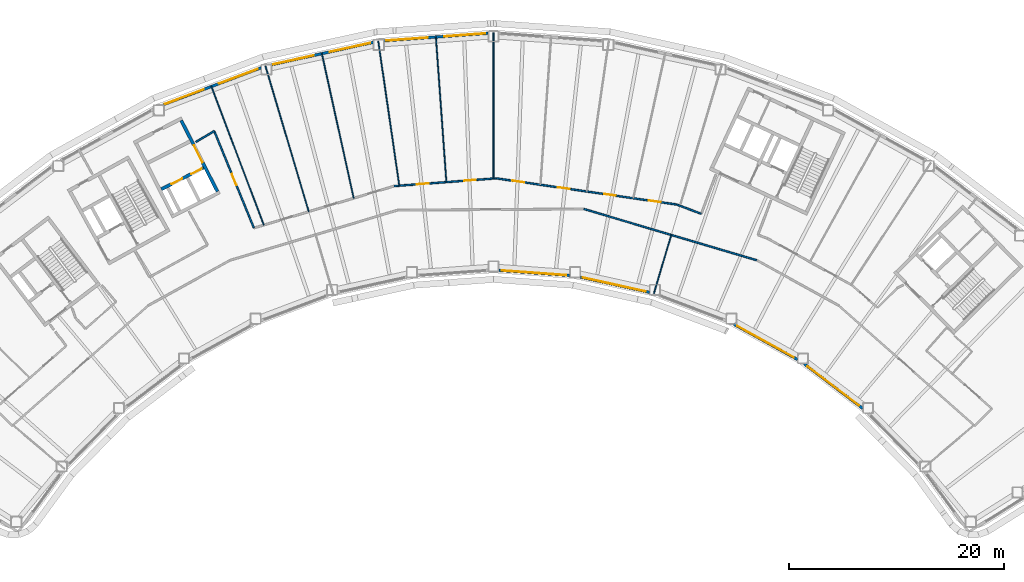
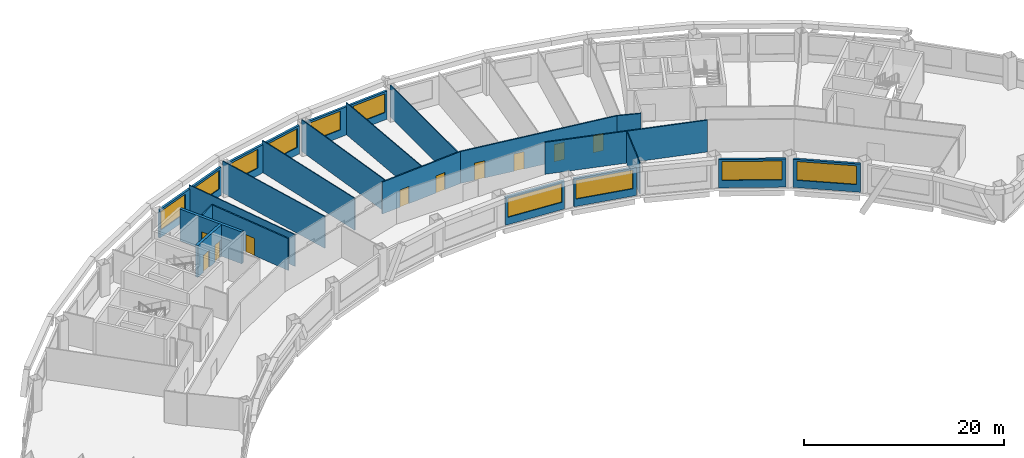
# One storey, part 5 of 11: 22 walls, 10 doors, 10 windows, 20 openings.
"""IFC4 building model written with IfcOpenShell, lengths in metres."""

from ifc_helpers import new_model, si_unit, direction, frame, frame_2d, origin, place, context, subcontext, project, spatial, rectangle, extrude, material, layer, layer_set, type_object, element, fill, save


model = new_model("IFC4")

# Units and contexts
model_context = context("Model", 3, precision=1e-05, world=origin(), true_north=direction((0.0, 1.0)))
body_context = subcontext(model_context, "Body", "Model", "MODEL_VIEW")
ifc_project = project(units=[si_unit("LENGTHUNIT", "METRE"), si_unit("AREAUNIT", "SQUARE_METRE"), si_unit("VOLUMEUNIT", "CUBIC_METRE"), si_unit("PLANEANGLEUNIT", "RADIAN"), si_unit("MASSUNIT", "GRAM", prefix="KILO")], contexts=[model_context])

# Site, building, storey
site_placement = place(None, origin())
site = spatial("IfcSite", under=ifc_project, at=site_placement, CompositionType="ELEMENT")
building_placement = place(site_placement, origin())
building = spatial("IfcBuilding", under=site, at=building_placement, Name="Tuul Gate Civic Tower", CompositionType="ELEMENT")
storey_placement = place(building_placement, frame((0.0, 0.0, 142.39990234375)))
storey = spatial("IfcBuildingStorey", under=building, at=storey_placement, Name="Level 32", CompositionType="ELEMENT", Elevation=142.39990234375)

# Wall
ifc_material_1 = material(Name="Gypsum board partition")
ifc_layer_1 = layer(ifc_material_1, 0.14990234375)
ifc_layer_set_1 = layer_set([ifc_layer_1], Name="Gypsum board partition")
wall_type_1 = type_object("IfcWallType", Name="Corridor wall P150", PredefinedType="PARTITIONING", material=ifc_layer_set_1)
wall_1_placement = place(storey_placement, frame((22.355712890625, -6.37548828125, 0.0), z_axis=(0.0, 0.0, 1.0), x_axis=(0.937357396993, -0.348369215492, 0.0)))
element("IfcWall", 1, at=wall_1_placement, inside=storey, type_object=wall_type_1, Name="p016", PredefinedType="PARTITIONING", context=body_context, shape_type="SweptSolid", body=[
    extrude(rectangle(XDim=2.44921875, YDim=0.14990234375, at=frame_2d((1.224609375, 0.0))), origin(), (0.0, 0.0, 1.0), 3.900146484375),
])

# Wall, openings, doors
wall_2_placement = place(storey_placement, frame((5.633056640625, -3.94677734375, 0.0), z_axis=(0.0, 0.0, 1.0), x_axis=(0.989618822019, -0.143717038326, 0.0)))
wall_2 = element("IfcWall", 2, at=wall_2_placement, inside=storey, type_object=wall_type_1, Name="p021", PredefinedType="PARTITIONING", context=body_context, shape_type="SweptSolid", body=[
    extrude(rectangle(XDim=16.895751953125, YDim=0.14990234375, at=frame_2d((8.44775390625, 0.0))), origin(), (0.0, 0.0, 1.0), 3.900146484375),
])
opening_1_placement = place(wall_2_placement, frame((14.32275390625, 0.0, 0.0)))
opening_1 = element("IfcOpeningElement", 3, at=opening_1_placement, cuts=wall_2, Name="Opening K-D06", PredefinedType="OPENING", context=body_context, shape_type="SweptSolid", body=[
    extrude(rectangle(XDim=1.10009765625, YDim=2.10009765625, at=frame_2d((0.550048828125, 1.050048828125))), frame((0.0, 0.0849609375, 0.0), z_axis=(0.0, -1.0, 0.0), x_axis=(1.0, 0.0, 0.0)), (0.0, 0.0, 1.0), 0.169921875),
])
opening_2_placement = place(wall_2_placement, frame((10.12158203125, 0.0, 0.0)))
opening_2 = element("IfcOpeningElement", 4, at=opening_2_placement, cuts=wall_2, Name="Opening K-D07", PredefinedType="OPENING", context=body_context, shape_type="SweptSolid", body=[
    extrude(rectangle(XDim=1.10009765625, YDim=2.10009765625, at=frame_2d((0.550048828125, 1.050048828125))), frame((0.0, 0.0849609375, 0.0), z_axis=(0.0, -1.0, 0.0), x_axis=(1.0, 0.0, 0.0)), (0.0, 0.0, 1.0), 0.169921875),
])
opening_3_placement = place(wall_2_placement, frame((5.7666015625, 0.0, 0.0)))
opening_3 = element("IfcOpeningElement", 5, at=opening_3_placement, cuts=wall_2, Name="Opening K-D08", PredefinedType="OPENING", context=body_context, shape_type="SweptSolid", body=[
    extrude(rectangle(XDim=1.10009765625, YDim=2.10009765625, at=frame_2d((0.550048828125, 1.050048828125))), frame((0.0, 0.0849609375, 0.0), z_axis=(0.0, -1.0, 0.0), x_axis=(1.0, 0.0, 0.0)), (0.0, 0.0, 1.0), 0.169921875),
])
opening_4_placement = place(wall_2_placement, frame((1.51953125, 0.0, 0.0)))
opening_4 = element("IfcOpeningElement", 6, at=opening_4_placement, cuts=wall_2, Name="Opening K-D09", PredefinedType="OPENING", context=body_context, shape_type="SweptSolid", body=[
    extrude(rectangle(XDim=1.10009765625, YDim=2.10009765625, at=frame_2d((0.550048828125, 1.050048828125))), frame((0.0, 0.0849609375, 0.0), z_axis=(0.0, -1.0, 0.0), x_axis=(1.0, 0.0, 0.0)), (0.0, 0.0, 1.0), 0.169921875),
])
ifc_material_2 = material(Name="Timber door leaf", Category="wood")
door_type_1 = type_object("IfcDoorType", Name="Door D11", OperationType="NOTDEFINED", PredefinedType="DOOR", material=ifc_material_2)
door_1_placement = place(opening_1_placement, origin())
door_1 = element("IfcDoor", 7, at=door_1_placement, inside=storey, type_object=door_type_1, Name="Door K-D06", OperationType="SINGLE_SWING_LEFT", OverallHeight=2.10009765625, OverallWidth=1.10009765625, PredefinedType="DOOR", context=body_context, shape_type="SweptSolid", body=[
    extrude(rectangle(XDim=1.10009765625, YDim=2.10009765625, at=frame_2d((0.550048828125, 1.050048828125))), frame((0.0, 0.02490234375, 0.0), z_axis=(0.0, -1.0, 0.0), x_axis=(1.0, 0.0, 0.0)), (0.0, 0.0, 1.0), 0.050048828125),
])
fill(opening_1, door_1)
door_2_placement = place(opening_2_placement, origin())
door_2 = element("IfcDoor", 8, at=door_2_placement, inside=storey, type_object=door_type_1, Name="Door K-D07", OperationType="SINGLE_SWING_RIGHT", OverallHeight=2.10009765625, OverallWidth=1.10009765625, PredefinedType="DOOR", context=body_context, shape_type="SweptSolid", body=[
    extrude(rectangle(XDim=1.10009765625, YDim=2.10009765625, at=frame_2d((0.550048828125, 1.050048828125))), frame((0.0, 0.02490234375, 0.0), z_axis=(0.0, -1.0, 0.0), x_axis=(1.0, 0.0, 0.0)), (0.0, 0.0, 1.0), 0.050048828125),
])
fill(opening_2, door_2)
door_3_placement = place(opening_3_placement, origin())
door_3 = element("IfcDoor", 9, at=door_3_placement, inside=storey, type_object=door_type_1, Name="Door K-D08", OperationType="SINGLE_SWING_RIGHT", OverallHeight=2.10009765625, OverallWidth=1.10009765625, PredefinedType="DOOR", context=body_context, shape_type="SweptSolid", body=[
    extrude(rectangle(XDim=1.10009765625, YDim=2.10009765625, at=frame_2d((0.550048828125, 1.050048828125))), frame((0.0, 0.02490234375, 0.0), z_axis=(0.0, -1.0, 0.0), x_axis=(1.0, 0.0, 0.0)), (0.0, 0.0, 1.0), 0.050048828125),
])
fill(opening_3, door_3)
door_4_placement = place(opening_4_placement, origin())
door_4 = element("IfcDoor", 10, at=door_4_placement, inside=storey, type_object=door_type_1, Name="Door K-D09", OperationType="SINGLE_SWING_RIGHT", OverallHeight=2.10009765625, OverallWidth=1.10009765625, PredefinedType="DOOR", context=body_context, shape_type="SweptSolid", body=[
    extrude(rectangle(XDim=1.10009765625, YDim=2.10009765625, at=frame_2d((0.550048828125, 1.050048828125))), frame((0.0, 0.02490234375, 0.0), z_axis=(0.0, -1.0, 0.0), x_axis=(1.0, 0.0, 0.0)), (0.0, 0.0, 1.0), 0.050048828125),
])
fill(opening_4, door_4)

wall_3_placement = place(storey_placement, frame((-3.847900390625, -4.6650390625, 0.0), z_axis=(0.0, 0.0, 1.0), x_axis=(0.997139374846, 0.075584834003, 0.0)))
wall_3 = element("IfcWall", 11, at=wall_3_placement, inside=storey, type_object=wall_type_1, Name="p025", PredefinedType="PARTITIONING", context=body_context, shape_type="SweptSolid", body=[
    extrude(rectangle(XDim=9.505859375, YDim=0.14990234375, at=frame_2d((4.7529296875, 0.0))), origin(), (0.0, 0.0, 1.0), 3.900146484375),
])
opening_5_placement = place(wall_3_placement, frame((6.505615234375, 0.0, 0.0)))
opening_5 = element("IfcOpeningElement", 12, at=opening_5_placement, cuts=wall_3, Name="Opening K-D10", PredefinedType="OPENING", context=body_context, shape_type="SweptSolid", body=[
    extrude(rectangle(XDim=1.10009765625, YDim=2.10009765625, at=frame_2d((0.550048828125, 1.050048828125))), frame((0.0, 0.0849609375, 0.0), z_axis=(0.0, -1.0, 0.0), x_axis=(1.0, 0.0, 0.0)), (0.0, 0.0, 1.0), 0.169921875),
])
opening_6_placement = place(wall_3_placement, frame((2.12158203125, 0.0, 0.0)))
opening_6 = element("IfcOpeningElement", 13, at=opening_6_placement, cuts=wall_3, Name="Opening K-D11", PredefinedType="OPENING", context=body_context, shape_type="SweptSolid", body=[
    extrude(rectangle(XDim=1.10009765625, YDim=2.10009765625, at=frame_2d((0.550048828125, 1.050048828125))), frame((0.0, 0.0849609375, 0.0), z_axis=(0.0, -1.0, 0.0), x_axis=(1.0, 0.0, 0.0)), (0.0, 0.0, 1.0), 0.169921875),
])
door_5_placement = place(opening_5_placement, origin())
door_5 = element("IfcDoor", 14, at=door_5_placement, inside=storey, type_object=door_type_1, Name="Door K-D10", OperationType="SINGLE_SWING_RIGHT", OverallHeight=2.10009765625, OverallWidth=1.10009765625, PredefinedType="DOOR", context=body_context, shape_type="SweptSolid", body=[
    extrude(rectangle(XDim=1.10009765625, YDim=2.10009765625, at=frame_2d((0.550048828125, 1.050048828125))), frame((0.0, 0.02490234375, 0.0), z_axis=(0.0, -1.0, 0.0), x_axis=(1.0, 0.0, 0.0)), (0.0, 0.0, 1.0), 0.050048828125),
])
fill(opening_5, door_5)
door_6_placement = place(opening_6_placement, origin())
door_6 = element("IfcDoor", 15, at=door_6_placement, inside=storey, type_object=door_type_1, Name="Door K-D11", OperationType="SINGLE_SWING_RIGHT", OverallHeight=2.10009765625, OverallWidth=1.10009765625, PredefinedType="DOOR", context=body_context, shape_type="SweptSolid", body=[
    extrude(rectangle(XDim=1.10009765625, YDim=2.10009765625, at=frame_2d((0.550048828125, 1.050048828125))), frame((0.0, 0.02490234375, 0.0), z_axis=(0.0, -1.0, 0.0), x_axis=(1.0, 0.0, 0.0)), (0.0, 0.0, 1.0), 0.050048828125),
])
fill(opening_6, door_6)

# Wall, opening, door
wall_4_placement = place(storey_placement, frame((-20.55126953125, 0.440673828125, 0.0), z_axis=(0.0, 0.0, 1.0), x_axis=(0.379597199819, -0.925151860988, 0.0)))
wall_4 = element("IfcWall", 16, at=wall_4_placement, inside=storey, type_object=wall_type_1, Name="p033", PredefinedType="PARTITIONING", context=body_context, shape_type="SweptSolid", body=[
    extrude(rectangle(XDim=9.707763671875, YDim=0.14990234375, at=frame_2d((4.85400390625, 0.0))), origin(), (0.0, 0.0, 1.0), 3.900146484375),
])
opening_7_placement = place(wall_4_placement, frame((4.3037109375, 0.0, 0.0)))
opening_7 = element("IfcOpeningElement", 17, at=opening_7_placement, cuts=wall_4, Name="Opening K-D15", PredefinedType="OPENING", context=body_context, shape_type="SweptSolid", body=[
    extrude(rectangle(XDim=1.10009765625, YDim=2.10009765625, at=frame_2d((0.550048828125, 1.050048828125))), frame((0.0, 0.0849609375, 0.0), z_axis=(0.0, -1.0, 0.0), x_axis=(1.0, 0.0, 0.0)), (0.0, 0.0, 1.0), 0.169921875),
])
door_7_placement = place(opening_7_placement, frame((1.10009765625, 0.0, 0.0), z_axis=(0.0, 0.0, 1.0), x_axis=(-1.0, 0.0, 0.0)))
door_7 = element("IfcDoor", 18, at=door_7_placement, inside=storey, type_object=door_type_1, Name="Door K-D15", OperationType="SINGLE_SWING_LEFT", OverallHeight=2.10009765625, OverallWidth=1.10009765625, PredefinedType="DOOR", context=body_context, shape_type="SweptSolid", body=[
    extrude(rectangle(XDim=1.10009765625, YDim=2.10009765625, at=frame_2d((0.550048828125, 1.050048828125))), frame((0.0, 0.02490234375, 0.0), z_axis=(0.0, -1.0, 0.0), x_axis=(1.0, 0.0, 0.0)), (0.0, 0.0, 1.0), 0.050048828125),
])
fill(opening_7, door_7)

# Walls
wall_5_placement = place(storey_placement, frame((-22.25390625, -0.57275390625, 0.0), z_axis=(0.0, 0.0, 1.0), x_axis=(0.859087704758, 0.511828404384, 0.0)))
element("IfcWall", 19, at=wall_5_placement, inside=storey, type_object=wall_type_1, Name="p034", PredefinedType="PARTITIONING", context=body_context, shape_type="SweptSolid", body=[
    extrude(rectangle(XDim=1.98046875, YDim=0.14990234375, at=frame_2d((0.990234375, 0.0))), origin(), (0.0, 0.0, 1.0), 3.900146484375),
])
wall_6_placement = place(storey_placement, frame((13.759521484375, -6.791015625, 0.0), z_axis=(0.0, 0.0, 1.0), x_axis=(0.95876109681, -0.28421322848, 0.0)))
element("IfcWall", 20, at=wall_6_placement, inside=storey, type_object=wall_type_1, Name="p048", PredefinedType="PARTITIONING", context=body_context, shape_type="SweptSolid", body=[
    extrude(rectangle(XDim=16.771240234375, YDim=0.14990234375, at=frame_2d((8.3857421875, 0.0))), origin(), (0.0, 0.0, 1.0), 3.900146484375),
])

# Wall, openings, windows
ifc_material_3 = material(Name="Precast concrete C40/50", Category="concrete")
ifc_layer_2 = layer(ifc_material_3, 0.25)
ifc_layer_set_2 = layer_set([ifc_layer_2], Name="Precast concrete C40/50")
wall_type_2 = type_object("IfcWallType", Name="External wall", PredefinedType="STANDARD", material=ifc_layer_set_2)
wall_7_placement = place(storey_placement, frame((4.8740234375, 9.521484375, 0.0), z_axis=(0.0, 0.0, 1.0), x_axis=(-0.997386456692, -0.07225133914, 0.0)))
wall_7 = element("IfcWall", 21, at=wall_7_placement, inside=storey, type_object=wall_type_2, Name="External wall", PredefinedType="STANDARD", context=body_context, shape_type="SweptSolid", body=[
    extrude(rectangle(XDim=9.67431640625, YDim=0.25, at=frame_2d((4.837158203125, 0.0))), origin(), (0.0, 0.0, 1.0), 3.4501953125),
])
opening_8_placement = place(wall_7_placement, frame((0.250244140625, 0.0, 0.89990234375)))
opening_8 = element("IfcOpeningElement", 22, at=opening_8_placement, cuts=wall_7, Name="Opening W22", PredefinedType="OPENING", context=body_context, shape_type="SweptSolid", body=[
    extrude(rectangle(XDim=3.85009765625, YDim=2.300048828125, at=frame_2d((1.925048828125, 1.14990234375))), frame((0.0, 0.135009765625, 0.0), z_axis=(0.0, -1.0, 0.0), x_axis=(1.0, 0.0, 0.0)), (0.0, 0.0, 1.0), 0.27001953125),
])
opening_9_placement = place(wall_7_placement, frame((5.62109375, 0.0, 0.89990234375)))
opening_9 = element("IfcOpeningElement", 23, at=opening_9_placement, cuts=wall_7, Name="Opening W22", PredefinedType="OPENING", context=body_context, shape_type="SweptSolid", body=[
    extrude(rectangle(XDim=3.85009765625, YDim=2.300048828125, at=frame_2d((1.925048828125, 1.14990234375))), frame((0.0, 0.135009765625, 0.0), z_axis=(0.0, -1.0, 0.0), x_axis=(1.0, 0.0, 0.0)), (0.0, 0.0, 1.0), 0.27001953125),
])
ifc_material_4 = material(Name="Glass", Category="glass")
window_type_1 = type_object("IfcWindowType", Name="Window W22 3850 x 2300", PartitioningType="SINGLE_PANEL", PredefinedType="WINDOW", material=ifc_material_4)
window_1_placement = place(opening_8_placement, origin())
window_1 = element("IfcWindow", 24, at=window_1_placement, inside=storey, type_object=window_type_1, Name="Window", OverallHeight=2.300048828125, OverallWidth=3.85009765625, PartitioningType="SINGLE_PANEL", PredefinedType="WINDOW", context=body_context, shape_type="SweptSolid", body=[
    extrude(rectangle(XDim=3.85009765625, YDim=2.300048828125, at=frame_2d((1.925048828125, 1.14990234375))), frame((0.0, 0.030029296875, 0.0), z_axis=(0.0, -1.0, 0.0), x_axis=(1.0, 0.0, 0.0)), (0.0, 0.0, 1.0), 0.06005859375),
])
fill(opening_8, window_1)
window_2_placement = place(opening_9_placement, origin())
window_2 = element("IfcWindow", 25, at=window_2_placement, inside=storey, type_object=window_type_1, Name="Window", OverallHeight=2.300048828125, OverallWidth=3.85009765625, PartitioningType="SINGLE_PANEL", PredefinedType="WINDOW", context=body_context, shape_type="SweptSolid", body=[
    extrude(rectangle(XDim=3.85009765625, YDim=2.300048828125, at=frame_2d((1.925048828125, 1.14990234375))), frame((0.0, 0.030029296875, 0.0), z_axis=(0.0, -1.0, 0.0), x_axis=(1.0, 0.0, 0.0)), (0.0, 0.0, 1.0), 0.06005859375),
])
fill(opening_9, window_2)

wall_8_placement = place(storey_placement, frame((-5.77490234375, 8.68310546875, 0.0), z_axis=(0.0, 0.0, 1.0), x_axis=(-0.976568733391, -0.215205736364, 0.0)))
wall_8 = element("IfcWall", 26, at=wall_8_placement, inside=storey, type_object=wall_type_2, Name="External wall", PredefinedType="STANDARD", context=body_context, shape_type="SweptSolid", body=[
    extrude(rectangle(XDim=9.654296875, YDim=0.25, at=frame_2d((4.8271484375, 0.0))), origin(), (0.0, 0.0, 1.0), 3.4501953125),
])
opening_10_placement = place(wall_8_placement, frame((0.28759765625, 0.0, 0.89990234375)))
opening_10 = element("IfcOpeningElement", 27, at=opening_10_placement, cuts=wall_8, Name="Opening W22", PredefinedType="OPENING", context=body_context, shape_type="SweptSolid", body=[
    extrude(rectangle(XDim=3.85009765625, YDim=2.300048828125, at=frame_2d((1.925048828125, 1.14990234375))), frame((0.0, 0.135009765625, 0.0), z_axis=(0.0, -1.0, 0.0), x_axis=(1.0, 0.0, 0.0)), (0.0, 0.0, 1.0), 0.27001953125),
])
opening_11_placement = place(wall_8_placement, frame((5.6591796875, 0.0, 0.89990234375)))
opening_11 = element("IfcOpeningElement", 28, at=opening_11_placement, cuts=wall_8, Name="Opening W22", PredefinedType="OPENING", context=body_context, shape_type="SweptSolid", body=[
    extrude(rectangle(XDim=3.85009765625, YDim=2.300048828125, at=frame_2d((1.925048828125, 1.14990234375))), frame((0.0, 0.135009765625, 0.0), z_axis=(0.0, -1.0, 0.0), x_axis=(1.0, 0.0, 0.0)), (0.0, 0.0, 1.0), 0.27001953125),
])
window_3_placement = place(opening_10_placement, origin())
window_3 = element("IfcWindow", 29, at=window_3_placement, inside=storey, type_object=window_type_1, Name="Window", OverallHeight=2.300048828125, OverallWidth=3.85009765625, PartitioningType="SINGLE_PANEL", PredefinedType="WINDOW", context=body_context, shape_type="SweptSolid", body=[
    extrude(rectangle(XDim=3.85009765625, YDim=2.300048828125, at=frame_2d((1.925048828125, 1.14990234375))), frame((0.0, 0.030029296875, 0.0), z_axis=(0.0, -1.0, 0.0), x_axis=(1.0, 0.0, 0.0)), (0.0, 0.0, 1.0), 0.06005859375),
])
fill(opening_10, window_3)
window_4_placement = place(opening_11_placement, origin())
window_4 = element("IfcWindow", 30, at=window_4_placement, inside=storey, type_object=window_type_1, Name="Window", OverallHeight=2.300048828125, OverallWidth=3.85009765625, PartitioningType="SINGLE_PANEL", PredefinedType="WINDOW", context=body_context, shape_type="SweptSolid", body=[
    extrude(rectangle(XDim=3.85009765625, YDim=2.300048828125, at=frame_2d((1.925048828125, 1.14990234375))), frame((0.0, 0.030029296875, 0.0), z_axis=(0.0, -1.0, 0.0), x_axis=(1.0, 0.0, 0.0)), (0.0, 0.0, 1.0), 0.06005859375),
])
fill(opening_11, window_4)

wall_9_placement = place(storey_placement, frame((-16.202880859375, 6.320556640625, 0.0), z_axis=(0.0, 0.0, 1.0), x_axis=(-0.935351451724, -0.353719750307, 0.0)))
wall_9 = element("IfcWall", 31, at=wall_9_placement, inside=storey, type_object=wall_type_2, Name="External wall", PredefinedType="STANDARD", context=body_context, shape_type="SweptSolid", body=[
    extrude(rectangle(XDim=9.712646484375, YDim=0.25, at=frame_2d((4.8564453125, 0.0))), origin(), (0.0, 0.0, 1.0), 3.4501953125),
])
opening_12_placement = place(wall_9_placement, frame((0.315673828125, 0.0, 0.89990234375)))
opening_12 = element("IfcOpeningElement", 32, at=opening_12_placement, cuts=wall_9, Name="Opening W22", PredefinedType="OPENING", context=body_context, shape_type="SweptSolid", body=[
    extrude(rectangle(XDim=3.85009765625, YDim=2.300048828125, at=frame_2d((1.925048828125, 1.14990234375))), frame((0.0, 0.135009765625, 0.0), z_axis=(0.0, -1.0, 0.0), x_axis=(1.0, 0.0, 0.0)), (0.0, 0.0, 1.0), 0.27001953125),
])
opening_13_placement = place(wall_9_placement, frame((5.68701171875, 0.0, 0.89990234375)))
opening_13 = element("IfcOpeningElement", 33, at=opening_13_placement, cuts=wall_9, Name="Opening W22", PredefinedType="OPENING", context=body_context, shape_type="SweptSolid", body=[
    extrude(rectangle(XDim=3.85009765625, YDim=2.300048828125, at=frame_2d((1.925048828125, 1.14990234375))), frame((0.0, 0.135009765625, 0.0), z_axis=(0.0, -1.0, 0.0), x_axis=(1.0, 0.0, 0.0)), (0.0, 0.0, 1.0), 0.27001953125),
])
window_5_placement = place(opening_12_placement, origin())
window_5 = element("IfcWindow", 34, at=window_5_placement, inside=storey, type_object=window_type_1, Name="Window", OverallHeight=2.300048828125, OverallWidth=3.85009765625, PartitioningType="SINGLE_PANEL", PredefinedType="WINDOW", context=body_context, shape_type="SweptSolid", body=[
    extrude(rectangle(XDim=3.85009765625, YDim=2.300048828125, at=frame_2d((1.925048828125, 1.14990234375))), frame((0.0, 0.030029296875, 0.0), z_axis=(0.0, -1.0, 0.0), x_axis=(1.0, 0.0, 0.0)), (0.0, 0.0, 1.0), 0.06005859375),
])
fill(opening_12, window_5)
window_6_placement = place(opening_13_placement, origin())
window_6 = element("IfcWindow", 35, at=window_6_placement, inside=storey, type_object=window_type_1, Name="Window", OverallHeight=2.300048828125, OverallWidth=3.85009765625, PartitioningType="SINGLE_PANEL", PredefinedType="WINDOW", context=body_context, shape_type="SweptSolid", body=[
    extrude(rectangle(XDim=3.85009765625, YDim=2.300048828125, at=frame_2d((1.925048828125, 1.14990234375))), frame((0.0, 0.030029296875, 0.0), z_axis=(0.0, -1.0, 0.0), x_axis=(1.0, 0.0, 0.0)), (0.0, 0.0, 1.0), 0.06005859375),
])
fill(opening_13, window_6)

# Wall, opening, window
wall_10_placement = place(storey_placement, frame((5.8740234375, -12.48583984375, 0.0), z_axis=(0.0, 0.0, 1.0), x_axis=(0.997383866909, -0.072287080662, 0.0)))
wall_10 = element("IfcWall", 36, at=wall_10_placement, inside=storey, type_object=wall_type_2, Name="External wall", PredefinedType="STANDARD", context=body_context, shape_type="SweptSolid", body=[
    extrude(rectangle(XDim=6.58935546875, YDim=0.25, at=frame_2d((3.294677734375, 0.0))), origin(), (0.0, 0.0, 1.0), 3.4501953125),
])
opening_14_placement = place(wall_10_placement, frame((0.27099609375, 0.0, 0.89990234375)))
opening_14 = element("IfcOpeningElement", 37, at=opening_14_placement, cuts=wall_10, Name="Opening W26", PredefinedType="OPENING", context=body_context, shape_type="SweptSolid", body=[
    extrude(rectangle(XDim=6.0, YDim=2.300048828125, at=frame_2d((3.0, 1.14990234375))), frame((0.0, 0.135009765625, 0.0), z_axis=(0.0, -1.0, 0.0), x_axis=(1.0, 0.0, 0.0)), (0.0, 0.0, 1.0), 0.27001953125),
])
ifc_material_5 = material(Name="Glass", Category="glass")
window_type_2 = type_object("IfcWindowType", Name="Window W26 6000 x 2300", PartitioningType="SINGLE_PANEL", PredefinedType="WINDOW", material=ifc_material_5)
window_7_placement = place(opening_14_placement, origin())
window_7 = element("IfcWindow", 38, at=window_7_placement, inside=storey, type_object=window_type_2, Name="Window", OverallHeight=2.300048828125, OverallWidth=6.0, PartitioningType="SINGLE_PANEL", PredefinedType="WINDOW", context=body_context, shape_type="SweptSolid", body=[
    extrude(rectangle(XDim=6.0, YDim=2.300048828125, at=frame_2d((3.0, 1.14990234375))), frame((0.0, 0.030029296875, 0.0), z_axis=(0.0, -1.0, 0.0), x_axis=(1.0, 0.0, 0.0)), (0.0, 0.0, 1.0), 0.06005859375),
])
fill(opening_14, window_7)

wall_11_placement = place(storey_placement, frame((13.446044921875, -13.115478515625, 0.0), z_axis=(0.0, 0.0, 1.0), x_axis=(0.976557337415, -0.215257442942, 0.0)))
wall_11 = element("IfcWall", 39, at=wall_11_placement, inside=storey, type_object=wall_type_2, Name="External wall", PredefinedType="STANDARD", context=body_context, shape_type="SweptSolid", body=[
    extrude(rectangle(XDim=6.568115234375, YDim=0.25, at=frame_2d((3.2841796875, 0.0))), origin(), (0.0, 0.0, 1.0), 3.4501953125),
])
opening_15_placement = place(wall_11_placement, frame((0.212158203125, 0.0, 0.89990234375)))
opening_15 = element("IfcOpeningElement", 40, at=opening_15_placement, cuts=wall_11, Name="Opening W26", PredefinedType="OPENING", context=body_context, shape_type="SweptSolid", body=[
    extrude(rectangle(XDim=6.0, YDim=2.300048828125, at=frame_2d((3.0, 1.14990234375))), frame((0.0, 0.135009765625, 0.0), z_axis=(0.0, -1.0, 0.0), x_axis=(1.0, 0.0, 0.0)), (0.0, 0.0, 1.0), 0.27001953125),
])
window_8_placement = place(opening_15_placement, origin())
window_8 = element("IfcWindow", 41, at=window_8_placement, inside=storey, type_object=window_type_2, Name="Window", OverallHeight=2.300048828125, OverallWidth=6.0, PartitioningType="SINGLE_PANEL", PredefinedType="WINDOW", context=body_context, shape_type="SweptSolid", body=[
    extrude(rectangle(XDim=6.0, YDim=2.300048828125, at=frame_2d((3.0, 1.14990234375))), frame((0.0, 0.030029296875, 0.0), z_axis=(0.0, -1.0, 0.0), x_axis=(1.0, 0.0, 0.0)), (0.0, 0.0, 1.0), 0.06005859375),
])
fill(opening_15, window_8)

wall_12_placement = place(storey_placement, frame((27.693115234375, -17.491943359375, 0.0), z_axis=(0.0, 0.0, 1.0), x_axis=(0.874615488592, -0.484817230628, 0.0)))
wall_12 = element("IfcWall", 42, at=wall_12_placement, inside=storey, type_object=wall_type_2, Name="External wall", PredefinedType="STANDARD", context=body_context, shape_type="SweptSolid", body=[
    extrude(rectangle(XDim=6.7548828125, YDim=0.25, at=frame_2d((3.37744140625, 0.0))), origin(), (0.0, 0.0, 1.0), 3.4501953125),
])
opening_16_placement = place(wall_12_placement, frame((0.35009765625, 0.0, 0.89990234375)))
opening_16 = element("IfcOpeningElement", 43, at=opening_16_placement, cuts=wall_12, Name="Opening W26", PredefinedType="OPENING", context=body_context, shape_type="SweptSolid", body=[
    extrude(rectangle(XDim=6.0, YDim=2.300048828125, at=frame_2d((3.0, 1.14990234375))), frame((0.0, 0.135009765625, 0.0), z_axis=(0.0, -1.0, 0.0), x_axis=(1.0, 0.0, 0.0)), (0.0, 0.0, 1.0), 0.27001953125),
])
window_9_placement = place(opening_16_placement, origin())
window_9 = element("IfcWindow", 44, at=window_9_placement, inside=storey, type_object=window_type_2, Name="Window", OverallHeight=2.300048828125, OverallWidth=6.0, PartitioningType="SINGLE_PANEL", PredefinedType="WINDOW", context=body_context, shape_type="SweptSolid", body=[
    extrude(rectangle(XDim=6.0, YDim=2.300048828125, at=frame_2d((3.0, 1.14990234375))), frame((0.0, 0.030029296875, 0.0), z_axis=(0.0, -1.0, 0.0), x_axis=(1.0, 0.0, 0.0)), (0.0, 0.0, 1.0), 0.06005859375),
])
fill(opening_16, window_9)

wall_13_placement = place(storey_placement, frame((34.220458984375, -21.172119140625, 0.0), z_axis=(0.0, 0.0, 1.0), x_axis=(0.795597025415, -0.605826190546, 0.0)))
wall_13 = element("IfcWall", 45, at=wall_13_placement, inside=storey, type_object=wall_type_2, Name="External wall", PredefinedType="STANDARD", context=body_context, shape_type="SweptSolid", body=[
    extrude(rectangle(XDim=6.813232421875, YDim=0.25, at=frame_2d((3.40673828125, 0.0))), origin(), (0.0, 0.0, 1.0), 3.4501953125),
])
opening_17_placement = place(wall_13_placement, frame((0.397705078125, 0.0, 0.89990234375)))
opening_17 = element("IfcOpeningElement", 46, at=opening_17_placement, cuts=wall_13, Name="Opening W26", PredefinedType="OPENING", context=body_context, shape_type="SweptSolid", body=[
    extrude(rectangle(XDim=6.0, YDim=2.300048828125, at=frame_2d((3.0, 1.14990234375))), frame((0.0, 0.135009765625, 0.0), z_axis=(0.0, -1.0, 0.0), x_axis=(1.0, 0.0, 0.0)), (0.0, 0.0, 1.0), 0.27001953125),
])
window_10_placement = place(opening_17_placement, origin())
window_10 = element("IfcWindow", 47, at=window_10_placement, inside=storey, type_object=window_type_2, Name="Window", OverallHeight=2.300048828125, OverallWidth=6.0, PartitioningType="SINGLE_PANEL", PredefinedType="WINDOW", context=body_context, shape_type="SweptSolid", body=[
    extrude(rectangle(XDim=6.0, YDim=2.300048828125, at=frame_2d((3.0, 1.14990234375))), frame((0.0, 0.030029296875, 0.0), z_axis=(0.0, -1.0, 0.0), x_axis=(1.0, 0.0, 0.0)), (0.0, 0.0, 1.0), 0.06005859375),
])
fill(opening_17, window_10)

# Wall, openings, doors
ifc_material_6 = material(Name="Concrete C40/50", Category="concrete")
ifc_layer_3 = layer(ifc_material_6, 0.300048828125)
ifc_layer_set_3 = layer_set([ifc_layer_3], Name="Concrete C40/50")
wall_type_3 = type_object("IfcWallType", Name="Lift shaft wall C40/50", PredefinedType="STANDARD", material=ifc_layer_set_3)
wall_14_placement = place(storey_placement, frame((-21.542236328125, -2.962890625, 0.0), z_axis=(0.0, 0.0, 1.0), x_axis=(-0.891005618941, -0.453992276384, 0.0)))
wall_14 = element("IfcWall", 48, at=wall_14_placement, inside=storey, type_object=wall_type_3, Name="Shaft wall", PredefinedType="STANDARD", context=body_context, shape_type="SweptSolid", body=[
    extrude(rectangle(XDim=4.39990234375, YDim=0.300048828125, at=frame_2d((2.199951171875, 0.0))), origin(), (0.0, 0.0, 1.0), 3.900146484375),
])
opening_18_placement = place(wall_14_placement, frame((0.175048828125, 0.0, 0.0)))
opening_18 = element("IfcOpeningElement", 49, at=opening_18_placement, cuts=wall_14, Name="Opening LD-M1", PredefinedType="OPENING", context=body_context, shape_type="SweptSolid", body=[
    extrude(rectangle(XDim=1.10009765625, YDim=2.10009765625, at=frame_2d((0.550048828125, 1.050048828125))), frame((0.0, 0.16015625, 0.0), z_axis=(0.0, -1.0, 0.0), x_axis=(1.0, 0.0, 0.0)), (0.0, 0.0, 1.0), 0.320068359375),
])
opening_19_placement = place(wall_14_placement, frame((2.22509765625, 0.0, 0.0)))
opening_19 = element("IfcOpeningElement", 50, at=opening_19_placement, cuts=wall_14, Name="Opening LD-M2", PredefinedType="OPENING", context=body_context, shape_type="SweptSolid", body=[
    extrude(rectangle(XDim=1.10009765625, YDim=2.10009765625, at=frame_2d((0.550048828125, 1.050048828125))), frame((0.0, 0.16015625, 0.0), z_axis=(0.0, -1.0, 0.0), x_axis=(1.0, 0.0, 0.0)), (0.0, 0.0, 1.0), 0.320068359375),
])
ifc_material_7 = material(Name="Stainless steel", Category="steel")
door_type_2 = type_object("IfcDoorType", Name="Landing door", OperationType="DOUBLE_DOOR_SLIDING", PredefinedType="DOOR", material=ifc_material_7)
door_8_placement = place(opening_18_placement, origin())
door_8 = element("IfcDoor", 51, at=door_8_placement, inside=storey, type_object=door_type_2, Name="Mid-rise lift M1 landing door", OperationType="DOUBLE_DOOR_SLIDING", OverallHeight=2.10009765625, OverallWidth=1.10009765625, PredefinedType="DOOR", context=body_context, shape_type="SweptSolid", body=[
    extrude(rectangle(XDim=1.10009765625, YDim=2.10009765625, at=frame_2d((0.550048828125, 1.050048828125))), frame((0.0, 0.02490234375, 0.0), z_axis=(0.0, -1.0, 0.0), x_axis=(1.0, 0.0, 0.0)), (0.0, 0.0, 1.0), 0.050048828125),
])
fill(opening_18, door_8)
door_9_placement = place(opening_19_placement, origin())
door_9 = element("IfcDoor", 52, at=door_9_placement, inside=storey, type_object=door_type_2, Name="Mid-rise lift M2 landing door", OperationType="DOUBLE_DOOR_SLIDING", OverallHeight=2.10009765625, OverallWidth=1.10009765625, PredefinedType="DOOR", context=body_context, shape_type="SweptSolid", body=[
    extrude(rectangle(XDim=1.10009765625, YDim=2.10009765625, at=frame_2d((0.550048828125, 1.050048828125))), frame((0.0, 0.02490234375, 0.0), z_axis=(0.0, -1.0, 0.0), x_axis=(1.0, 0.0, 0.0)), (0.0, 0.0, 1.0), 0.050048828125),
])
fill(opening_19, door_9)

# Wall, opening, door
wall_15_placement = place(storey_placement, frame((-20.2509765625, -5.166748046875, 0.0), z_axis=(0.0, 0.0, 1.0), x_axis=(-0.45401029361, 0.89099643843, 0.0)))
wall_15 = element("IfcWall", 53, at=wall_15_placement, inside=storey, type_object=wall_type_3, Name="Shaft wall", PredefinedType="STANDARD", context=body_context, shape_type="SweptSolid", body=[
    extrude(rectangle(XDim=7.39990234375, YDim=0.300048828125, at=frame_2d((3.699951171875, 0.0))), origin(), (0.0, 0.0, 1.0), 3.900146484375),
])
opening_20_placement = place(wall_15_placement, frame((3.02490234375, 0.0, 0.0)))
opening_20 = element("IfcOpeningElement", 54, at=opening_20_placement, cuts=wall_15, Name="Opening LB-W3-LOBBY-1", PredefinedType="OPENING", context=body_context, shape_type="SweptSolid", body=[
    extrude(rectangle(XDim=1.800048828125, YDim=2.10009765625, at=frame_2d((0.89990234375, 1.050048828125))), frame((0.0, 0.16015625, 0.0), z_axis=(0.0, -1.0, 0.0), x_axis=(1.0, 0.0, 0.0)), (0.0, 0.0, 1.0), 0.320068359375),
])
ifc_material_8 = material(Name="Steel", Category="steel")
door_type_3 = type_object("IfcDoorType", Name="Lobby door", OperationType="DOUBLE_DOOR_SINGLE_SWING", PredefinedType="DOOR", material=ifc_material_8)
door_10_placement = place(opening_20_placement, origin())
door_10 = element("IfcDoor", 55, at=door_10_placement, inside=storey, type_object=door_type_3, Name="Lobby door W3-LOBBY", OperationType="DOUBLE_DOOR_SINGLE_SWING", OverallHeight=2.10009765625, OverallWidth=1.800048828125, PredefinedType="DOOR", context=body_context, shape_type="SweptSolid", body=[
    extrude(rectangle(XDim=1.800048828125, YDim=2.10009765625, at=frame_2d((0.89990234375, 1.050048828125))), frame((0.0, 0.02490234375, 0.0), z_axis=(0.0, -1.0, 0.0), x_axis=(1.0, 0.0, 0.0)), (0.0, 0.0, 1.0), 0.050048828125),
])
fill(opening_20, door_10)

# Walls
ifc_material_9 = material(Name="Gypsum board partition")
ifc_layer_4 = layer(ifc_material_9, 0.10009765625)
ifc_layer_set_4 = layer_set([ifc_layer_4], Name="Gypsum board partition")
wall_type_4 = type_object("IfcWallType", Name="Partition P100", PredefinedType="PARTITIONING", material=ifc_layer_set_4)
wall_16_placement = place(storey_placement, frame((20.265380859375, -14.623779296875, 0.0), z_axis=(0.0, 0.0, 1.0), x_axis=(0.285202656555, 0.958467237152, 0.0)))
element("IfcWall", 56, at=wall_16_placement, inside=storey, type_object=wall_type_4, Name="p014", PredefinedType="PARTITIONING", context=body_context, shape_type="SweptSolid", body=[
    extrude(rectangle(XDim=5.660888671875, YDim=0.10009765625, at=frame_2d((2.83056640625, 0.0))), origin(), (0.0, 0.0, 1.0), 3.900146484375),
])
wall_17_placement = place(storey_placement, frame((5.3740234375, -3.966064453125, 0.0), z_axis=(0.0, 0.0, 1.0), x_axis=(0.0, 1.0, 0.0)))
element("IfcWall", 57, at=wall_17_placement, inside=storey, type_object=wall_type_4, Name="p024", PredefinedType="PARTITIONING", context=body_context, shape_type="SweptSolid", body=[
    extrude(rectangle(XDim=13.52880859375, YDim=0.10009765625, at=frame_2d((6.764404296875, 0.0))), origin(), (0.0, 0.0, 1.0), 3.900146484375),
])
wall_18_placement = place(storey_placement, frame((0.025390625, 9.17529296875, 0.0), z_axis=(0.0, 0.0, 1.0), x_axis=(0.07223986571, -0.997387287768, 0.0)))
element("IfcWall", 58, at=wall_18_placement, inside=storey, type_object=wall_type_4, Name="p026", PredefinedType="PARTITIONING", context=body_context, shape_type="SweptSolid", body=[
    extrude(rectangle(XDim=13.50830078125, YDim=0.10009765625, at=frame_2d((6.754150390625, 0.0))), origin(), (0.0, 0.0, 1.0), 3.900146484375),
])
wall_19_placement = place(storey_placement, frame((-5.3232421875, 8.787841796875, 0.0), z_axis=(0.0, 0.0, 1.0), x_axis=(0.144108165234, -0.989561941827, 0.0)))
element("IfcWall", 59, at=wall_19_placement, inside=storey, type_object=wall_type_4, Name="p027", PredefinedType="PARTITIONING", context=body_context, shape_type="SweptSolid", body=[
    extrude(rectangle(XDim=13.558349609375, YDim=0.10009765625, at=frame_2d((6.779296875, 0.0))), origin(), (0.0, 0.0, 1.0), 3.900146484375),
])
wall_20_placement = place(storey_placement, frame((-10.56005859375, 7.6337890625, 0.0), z_axis=(0.0, 0.0, 1.0), x_axis=(0.21522232398, -0.976565077842, 0.0)))
element("IfcWall", 60, at=wall_20_placement, inside=storey, type_object=wall_type_4, Name="p028", PredefinedType="PARTITIONING", context=body_context, shape_type="SweptSolid", body=[
    extrude(rectangle(XDim=13.743896484375, YDim=0.10009765625, at=frame_2d((6.8720703125, 0.0))), origin(), (0.0, 0.0, 1.0), 3.900146484375),
])
wall_21_placement = place(storey_placement, frame((-15.797119140625, 6.4794921875, 0.0), z_axis=(0.0, 0.0, 1.0), x_axis=(0.285220462057, -0.958461938746, 0.0)))
element("IfcWall", 61, at=wall_21_placement, inside=storey, type_object=wall_type_4, Name="p030", PredefinedType="PARTITIONING", context=body_context, shape_type="SweptSolid", body=[
    extrude(rectangle(XDim=14.10205078125, YDim=0.10009765625, at=frame_2d((7.051025390625, 0.0))), origin(), (0.0, 0.0, 1.0), 3.900146484375),
])
wall_22_placement = place(storey_placement, frame((-20.81298828125, 4.58251953125, 0.0), z_axis=(0.0, 0.0, 1.0), x_axis=(0.353708738671, -0.935355615896, 0.0)))
element("IfcWall", 62, at=wall_22_placement, inside=storey, type_object=wall_type_4, Name="p032", PredefinedType="PARTITIONING", context=body_context, shape_type="SweptSolid", body=[
    extrude(rectangle(XDim=13.757080078125, YDim=0.10009765625, at=frame_2d((6.87841796875, 0.0))), origin(), (0.0, 0.0, 1.0), 3.900146484375),
])

save(model, "model.ifc")
